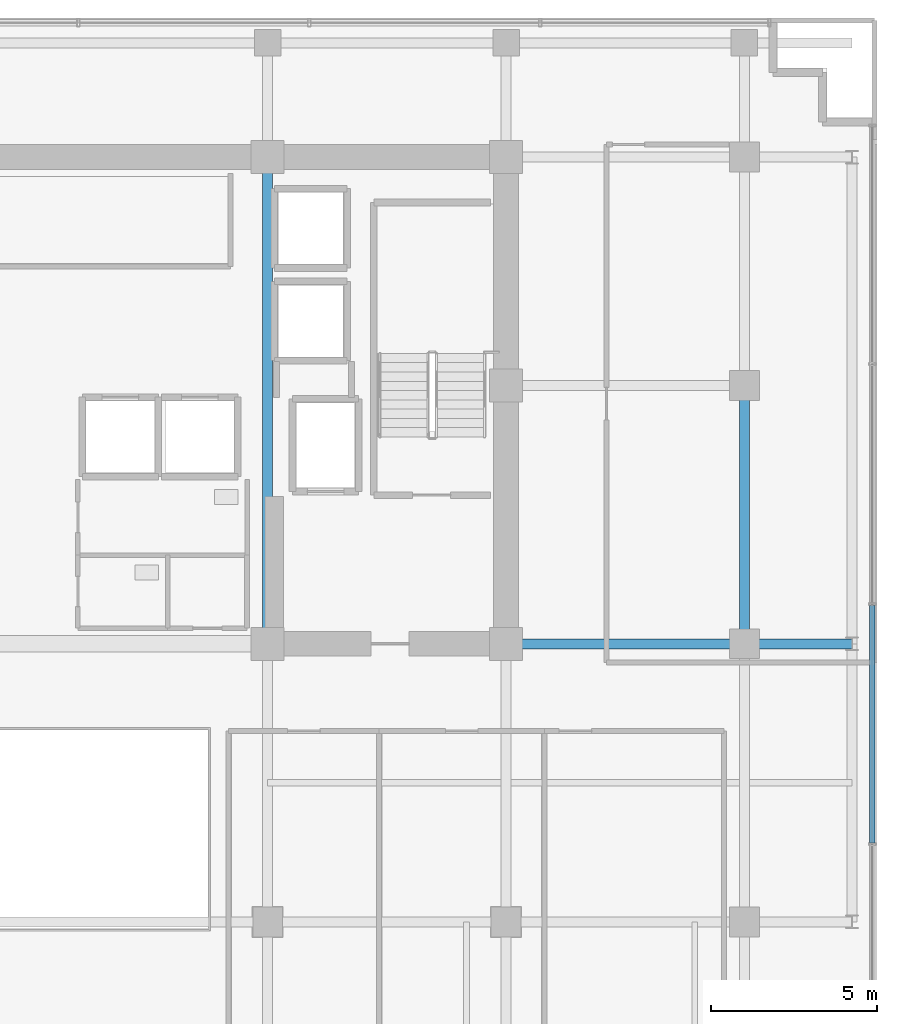
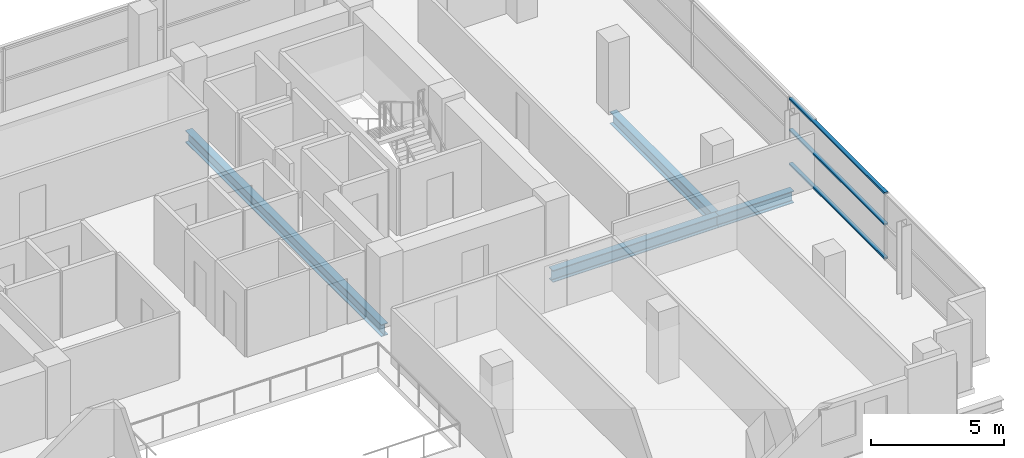
# One storey, part 13 of 28: 4 beams, 3 members, 1 element without a shape of its own.
"""IFC4 building model written with IfcOpenShell, lengths in metres."""

from ifc_helpers import new_model, si_unit, direction, frame, origin, origin_2d, place, context, subcontext, project, spatial, hollow_rectangle, i_section, extrude, source, transform, mapped, material, layer, layer_set, material_profile, profile_set, type_object, element, aggregate, save


model = new_model("IFC4")

# Units and contexts
model_context = context("Model", 3, precision=1e-05, world=origin(), true_north=direction((0.0, 1.0)))
body_context = subcontext(model_context, "Body", "Model", "MODEL_VIEW")
ifc_project = project(units=[si_unit("LENGTHUNIT", "METRE"), si_unit("AREAUNIT", "SQUARE_METRE"), si_unit("VOLUMEUNIT", "CUBIC_METRE"), si_unit("PLANEANGLEUNIT", "RADIAN"), si_unit("MASSUNIT", "GRAM", prefix="KILO")], contexts=[model_context])

# Site, building, storey
site_placement = place(None, origin())
site = spatial("IfcSite", under=ifc_project, at=site_placement, CompositionType="ELEMENT")
building_placement = place(site_placement, origin())
building = spatial("IfcBuilding", under=site, at=building_placement, Name="Zarnakvel Exchange Tower", CompositionType="ELEMENT")
storey_placement = place(building_placement, frame((0.0, 0.0, 103.300048828125)))
storey = spatial("IfcBuildingStorey", under=building, at=storey_placement, Name="L28", CompositionType="ELEMENT", Elevation=103.300048828125)

# Beams
ifc_material_1 = material(Name="Steel S355", Category="steel")
ifc_material_profile_1 = material_profile(ifc_material_1, i_section(OverallWidth=0.300048828125, OverallDepth=0.550048828125, WebThickness=0.014892578125, FlangeThickness=0.029052734375, FilletRadius=0.027099609375, at=origin_2d()))
ifc_profile_set_1 = profile_set([ifc_material_profile_1], Name="Steel S355")
beam_type = type_object("IfcBeamType", Name="G-05", PredefinedType="BEAM", material=ifc_profile_set_1)
beam_1_placement = place(storey_placement, frame((14.39990234375, -1.199951171875, -0.5), z_axis=(1.0, 0.0, 0.0), x_axis=(0.0, 1.0, 0.0)))
element("IfcBeam", 1, at=beam_1_placement, inside=storey, type_object=beam_type, Name="L28 Tower E-W Frame Beam", PredefinedType="BEAM", context=body_context, shape_type="SweptSolid", body=[
    extrude(i_section(OverallWidth=0.300048828125, OverallDepth=0.550048828125, WebThickness=0.014892578125, FlangeThickness=0.029052734375, FilletRadius=0.027099609375, at=origin_2d()), origin(), (0.0, 0.0, 1.0), 7.2001953125),
])
beam_2_placement = place(storey_placement, frame((21.60009765625, -1.199951171875, -0.5), z_axis=(1.0, 0.0, 0.0), x_axis=(0.0, 1.0, 0.0)))
element("IfcBeam", 2, at=beam_2_placement, inside=storey, type_object=beam_type, Name="L28 Tower E-W Frame Beam", PredefinedType="BEAM", context=body_context, shape_type="SweptSolid", body=[
    extrude(i_section(OverallWidth=0.300048828125, OverallDepth=0.550048828125, WebThickness=0.014892578125, FlangeThickness=0.029052734375, FilletRadius=0.027099609375, at=origin_2d()), origin(), (0.0, 0.0, 1.0), 3.25),
])
beam_3_placement = place(storey_placement, frame((7.199951171875, -1.199951171875, -0.5), z_axis=(0.0, 1.0, 0.0), x_axis=(-1.0, 0.0, 0.0)))
element("IfcBeam", 3, at=beam_3_placement, inside=storey, type_object=beam_type, Name="L28 Tower N-S Frame Beam", PredefinedType="BEAM", context=body_context, shape_type="SweptSolid", body=[
    extrude(i_section(OverallWidth=0.300048828125, OverallDepth=0.550048828125, WebThickness=0.014892578125, FlangeThickness=0.029052734375, FilletRadius=0.027099609375, at=origin_2d()), origin(), (0.0, 0.0, 1.0), 14.699951171875),
])
beam_4_placement = place(storey_placement, frame((21.60009765625, -1.199951171875, -0.5), z_axis=(0.0, 1.0, 0.0), x_axis=(-1.0, 0.0, 0.0)))
element("IfcBeam", 4, at=beam_4_placement, inside=storey, type_object=beam_type, Name="L28 Tower N-S Frame Beam", PredefinedType="BEAM", context=body_context, shape_type="SweptSolid", body=[
    extrude(i_section(OverallWidth=0.300048828125, OverallDepth=0.550048828125, WebThickness=0.014892578125, FlangeThickness=0.029052734375, FilletRadius=0.027099609375, at=origin_2d()), origin(), (0.0, 0.0, 1.0), 7.800048828125),
])

# Curtain wall, members
ifc_material_2 = material(Name="Architectural Bronze Anodised Aluminium", Category="aluminium")
ifc_layer = layer(ifc_material_2, 0.199951171875)
ifc_layer_set = layer_set([ifc_layer], Name="Architectural Bronze Anodised Aluminium")
curtain_wall_type = type_object("IfcCurtainWallType", Name="CW-04", PredefinedType="NOTDEFINED", material=ifc_layer_set)
curtain_wall_placement = place(storey_placement, origin())
curtain_wall = element("IfcCurtainWall", 5, at=curtain_wall_placement, inside=storey, type_object=curtain_wall_type, Name="L28 Curtain Wall CW-L28-E1 (CW-04)", PredefinedType="NOTDEFINED")
ifc_material_profile_2 = material_profile(ifc_material_2, hollow_rectangle(XDim=0.159912109375, YDim=0.074951171875, WallThickness=0.00390625, at=origin_2d()))
ifc_profile_set_2 = profile_set([ifc_material_profile_2], Name="Architectural Bronze Anodised Aluminium")
member_type = type_object("IfcMemberType", Name="CWT-04", PredefinedType="USERDEFINED", material=ifc_profile_set_2)
shared_shape = source(origin(), body_context, "Body", "SweptSolid", [
    extrude(hollow_rectangle(XDim=0.159912109375, YDim=0.074951171875, WallThickness=0.00390625, at=origin_2d()), origin(), (0.0, 0.0, 1.0), 7.1748046875),
])
member_1_placement = place(storey_placement, frame((25.4599609375, -7.21240234375, 0.037353515625), z_axis=(0.0, 1.0, 0.0), x_axis=(-1.0, 0.0, 0.0)))
member_1 = element("IfcMember", 6, at=member_1_placement, type_object=member_type, Name="CW-04 transom 2.1", ObjectType="TRANSOM", PredefinedType="USERDEFINED", context=body_context, shape_type="MappedRepresentation", body=[
    mapped(shared_shape, transform((0.0, 0.0, 0.0), x_axis=(1.0, 0.0, 0.0), y_axis=(0.0, 1.0, 0.0), z_axis=(0.0, 0.0, 1.0), scale=1.0)),
])
member_2_placement = place(storey_placement, frame((25.4599609375, -7.21240234375, 1.588623046875), z_axis=(0.0, 1.0, 0.0), x_axis=(-1.0, 0.0, 0.0)))
member_2 = element("IfcMember", 7, at=member_2_placement, type_object=member_type, Name="CW-04 transom 2.2", ObjectType="TRANSOM", PredefinedType="USERDEFINED", context=body_context, shape_type="MappedRepresentation", body=[
    mapped(shared_shape, transform((0.0, 0.0, 0.0), x_axis=(1.0, 0.0, 0.0), y_axis=(0.0, 1.0, 0.0), z_axis=(0.0, 0.0, 1.0), scale=1.0)),
])
member_3_placement = place(storey_placement, frame((25.4599609375, -7.21240234375, 3.017333984375), z_axis=(0.0, 1.0, 0.0), x_axis=(-1.0, 0.0, 0.0)))
member_3 = element("IfcMember", 8, at=member_3_placement, type_object=member_type, Name="CW-04 transom 2.3", ObjectType="TRANSOM", PredefinedType="USERDEFINED", context=body_context, shape_type="MappedRepresentation", body=[
    mapped(shared_shape, transform((0.0, 0.0, 0.0), x_axis=(1.0, 0.0, 0.0), y_axis=(0.0, 1.0, 0.0), z_axis=(0.0, 0.0, 1.0), scale=1.0)),
])
aggregate(curtain_wall, [member_1, member_2, member_3])

save(model, "model.ifc")
